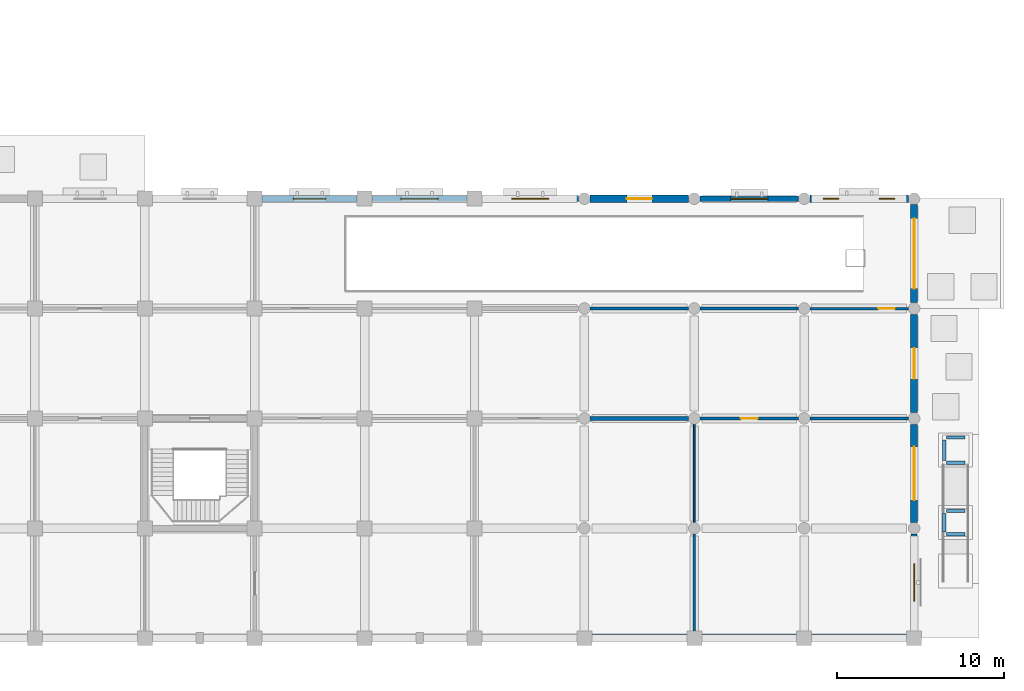
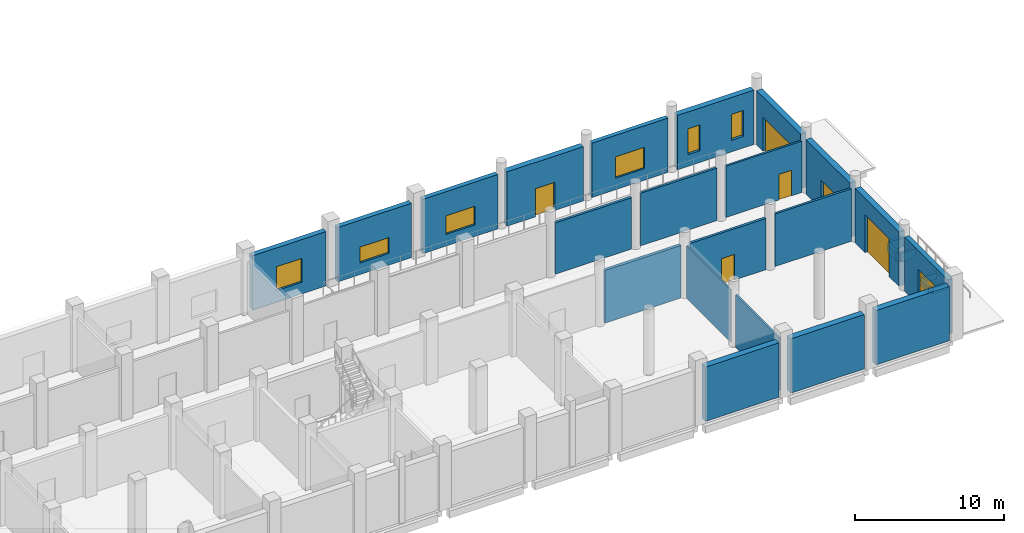
# One storey, part 13 of 28: 27 walls, 7 windows, 6 doors, 13 openings.
"""IFC4 building model written with IfcOpenShell, lengths in metres."""

from ifc_helpers import new_model, si_unit, direction, frame, frame_2d, origin, place, context, subcontext, project, spatial, rectangle, extrude, material, layer, layer_set, type_object, element, fill, save


model = new_model("IFC4")

# Units and contexts
model_context = context("Model", 3, precision=1e-05, world=origin(), true_north=direction((0.0, 1.0)))
body_context = subcontext(model_context, "Body", "Model", "MODEL_VIEW")
ifc_project = project(units=[si_unit("LENGTHUNIT", "METRE"), si_unit("AREAUNIT", "SQUARE_METRE"), si_unit("VOLUMEUNIT", "CUBIC_METRE"), si_unit("PLANEANGLEUNIT", "RADIAN"), si_unit("MASSUNIT", "GRAM", prefix="KILO")], contexts=[model_context])

# Site, building, storey
site_placement = place(None, origin())
site = spatial("IfcSite", under=ifc_project, at=site_placement, CompositionType="ELEMENT")
building_placement = place(site_placement, origin())
building = spatial("IfcBuilding", under=site, at=building_placement, Name="Rusizi Kubbe Research Institute", CompositionType="ELEMENT")
storey_placement = place(building_placement, origin())
storey = spatial("IfcBuildingStorey", under=building, at=storey_placement, Name="L00", CompositionType="ELEMENT", Elevation=0.0)

# Wall, opening, door
ifc_material_1 = material(Name="Volcanic Basalt Ashlar Masonry", Category="masonry")
ifc_layer_1 = layer(ifc_material_1, 0.43994140625)
ifc_layer_set_1 = layer_set([ifc_layer_1], Name="Volcanic Basalt Ashlar Masonry")
wall_type_1 = type_object("IfcWallType", Name="EW-01", PredefinedType="SOLIDWALL", material=ifc_layer_set_1)
wall_1_placement = place(storey_placement, frame((99.35009765625, 26.39990234375, 0.0), z_axis=(0.0, 0.0, 1.0), x_axis=(1.0, 0.0, 0.0)))
wall_1 = element("IfcWall", 1, at=wall_1_placement, inside=storey, type_object=wall_type_1, Name="Portal Vestibule Infill Wall E5", PredefinedType="SOLIDWALL", context=body_context, shape_type="SweptSolid", body=[
    extrude(rectangle(XDim=5.89990234375, YDim=0.43994140625, at=frame_2d((2.949951171875, 0.0))), origin(), (0.0, 0.0, 1.0), 4.449951171875),
])
opening_1_placement = place(wall_1_placement, frame((2.199951171875, 0.0, 0.0)))
opening_1 = element("IfcOpeningElement", 2, at=opening_1_placement, cuts=wall_1, Name="Opening D-40", PredefinedType="OPENING", context=body_context, shape_type="SweptSolid", body=[
    extrude(rectangle(XDim=1.5, YDim=2.300048828125, at=frame_2d((0.75, 1.14990234375))), frame((0.0, 0.22998046875, 0.0), z_axis=(0.0, -1.0, 0.0), x_axis=(1.0, 0.0, 0.0)), (0.0, 0.0, 1.0), 0.4599609375),
])
ifc_material_2 = material(Name="Insulated Steel and Laminated Safety Glass", Category="steel")
door_type_1 = type_object("IfcDoorType", Name="ED-10", OperationType="DOUBLE_DOOR_SINGLE_SWING", PredefinedType="DOOR", material=ifc_material_2)
door_1_placement = place(opening_1_placement, origin())
door_1 = element("IfcDoor", 3, at=door_1_placement, inside=storey, type_object=door_type_1, Name="Pedestrian Exit Cloister East Wing Door D-40", OperationType="DOUBLE_DOOR_SINGLE_SWING", OverallHeight=2.300048828125, OverallWidth=1.5, PredefinedType="DOOR", context=body_context, shape_type="SweptSolid", body=[
    extrude(rectangle(XDim=1.5, YDim=2.300048828125, at=frame_2d((0.75, 1.14990234375))), frame((0.0, 0.02490234375, 0.0), z_axis=(0.0, -1.0, 0.0), x_axis=(1.0, 0.0, 0.0)), (0.0, 0.0, 1.0), 0.050048828125),
])
fill(opening_1, door_1)

wall_2_placement = place(storey_placement, frame((118.800048828125, 6.949951171875, 0.0), z_axis=(0.0, 0.0, 1.0), x_axis=(0.0, 1.0, 0.0)))
wall_2 = element("IfcWall", 4, at=wall_2_placement, inside=storey, type_object=wall_type_1, Name="Portal Vestibule Infill Wall GT-01", PredefinedType="SOLIDWALL", context=body_context, shape_type="SweptSolid", body=[
    extrude(rectangle(XDim=5.900146484375, YDim=0.43994140625, at=frame_2d((2.9501953125, 0.0))), origin(), (0.0, 0.0, 1.0), 4.449951171875),
])
opening_2_placement = place(wall_2_placement, frame((1.35009765625, 0.0, 0.0)))
opening_2 = element("IfcOpeningElement", 5, at=opening_2_placement, cuts=wall_2, Name="Opening GT-01", PredefinedType="OPENING", context=body_context, shape_type="SweptSolid", body=[
    extrude(rectangle(XDim=3.199951171875, YDim=3.10009765625, at=frame_2d((1.60009765625, 1.550048828125))), frame((0.0, 0.22998046875, 0.0), z_axis=(0.0, -1.0, 0.0), x_axis=(1.0, 0.0, 0.0)), (0.0, 0.0, 1.0), 0.4599609375),
])
ifc_material_3 = material(Name="Insulated Steel Roller Shutter", Category="steel")
door_type_2 = type_object("IfcDoorType", Name="GT-01", OperationType="ROLLINGUP", PredefinedType="GATE", material=ifc_material_3)
door_2_placement = place(opening_2_placement, origin())
door_2 = element("IfcDoor", 6, at=door_2_placement, inside=storey, type_object=door_type_2, Name="Loading Dock Roller Shutter Gate GT-01", OperationType="ROLLINGUP", OverallHeight=3.10009765625, OverallWidth=3.199951171875, PredefinedType="GATE", context=body_context, shape_type="SweptSolid", body=[
    extrude(rectangle(XDim=3.199951171875, YDim=3.10009765625, at=frame_2d((1.60009765625, 1.550048828125))), frame((0.0, 0.02490234375, 0.0), z_axis=(0.0, -1.0, 0.0), x_axis=(1.0, 0.0, 0.0)), (0.0, 0.0, 1.0), 0.050048828125),
])
fill(opening_2, door_2)

wall_3_placement = place(storey_placement, frame((118.800048828125, 13.550048828125, 0.0), z_axis=(0.0, 0.0, 1.0), x_axis=(0.0, 1.0, 0.0)))
wall_3 = element("IfcWall", 7, at=wall_3_placement, inside=storey, type_object=wall_type_1, Name="Portal Vestibule Infill Wall E4", PredefinedType="SOLIDWALL", context=body_context, shape_type="SweptSolid", body=[
    extrude(rectangle(XDim=5.89990234375, YDim=0.43994140625, at=frame_2d((2.949951171875, 0.0))), origin(), (0.0, 0.0, 1.0), 4.449951171875),
])
opening_3_placement = place(wall_3_placement, frame((2.02490234375, 0.0, 0.0)))
opening_3 = element("IfcOpeningElement", 8, at=opening_3_placement, cuts=wall_3, Name="Opening D-34", PredefinedType="OPENING", context=body_context, shape_type="SweptSolid", body=[
    extrude(rectangle(XDim=1.85009765625, YDim=2.35009765625, at=frame_2d((0.925048828125, 1.175048828125))), frame((0.0, 0.22998046875, 0.0), z_axis=(0.0, -1.0, 0.0), x_axis=(1.0, 0.0, 0.0)), (0.0, 0.0, 1.0), 0.4599609375),
])
ifc_material_4 = material(Name="Insulated Steel and Laminated Safety Glass", Category="steel")
door_type_3 = type_object("IfcDoorType", Name="ED-04", OperationType="DOUBLE_DOOR_SINGLE_SWING", PredefinedType="DOOR", material=ifc_material_4)
door_3_placement = place(opening_3_placement, origin())
door_3 = element("IfcDoor", 9, at=door_3_placement, inside=storey, type_object=door_type_3, Name="Main Entrance East Street Exit Door D-34", OperationType="DOUBLE_DOOR_SINGLE_SWING", OverallHeight=2.35009765625, OverallWidth=1.85009765625, PredefinedType="DOOR", context=body_context, shape_type="SweptSolid", body=[
    extrude(rectangle(XDim=1.85009765625, YDim=2.35009765625, at=frame_2d((0.925048828125, 1.175048828125))), frame((0.0, 0.02490234375, 0.0), z_axis=(0.0, -1.0, 0.0), x_axis=(1.0, 0.0, 0.0)), (0.0, 0.0, 1.0), 0.050048828125),
])
fill(opening_3, door_3)

# Wall, openings, windows
wall_4_placement = place(storey_placement, frame((112.550048828125, 26.39990234375, 0.0), z_axis=(0.0, 0.0, 1.0), x_axis=(1.0, 0.0, 0.0)))
wall_4 = element("IfcWall", 10, at=wall_4_placement, inside=storey, type_object=wall_type_1, Name="Ablaq Stone Exterior Wall L00 H17-4", PredefinedType="SOLIDWALL", context=body_context, shape_type="SweptSolid", body=[
    extrude(rectangle(XDim=5.89990234375, YDim=0.43994140625, at=frame_2d((2.949951171875, 0.0))), origin(), (0.0, 0.0, 1.0), 4.449951171875),
])
opening_4_placement = place(wall_4_placement, frame((0.800048828125, 0.0, 0.949951171875)))
opening_4 = element("IfcOpeningElement", 11, at=opening_4_placement, cuts=wall_4, Name="Opening WN-33", PredefinedType="OPENING", context=body_context, shape_type="SweptSolid", body=[
    extrude(rectangle(XDim=0.93994140625, YDim=2.1201171875, at=frame_2d((0.469970703125, 1.06005859375))), frame((0.0, 0.22998046875, 0.0), z_axis=(0.0, -1.0, 0.0), x_axis=(1.0, 0.0, 0.0)), (0.0, 0.0, 1.0), 0.4599609375),
])
opening_5_placement = place(wall_4_placement, frame((4.159912109375, 0.0, 0.949951171875)))
opening_5 = element("IfcOpeningElement", 12, at=opening_5_placement, cuts=wall_4, Name="Opening WN-33", PredefinedType="OPENING", context=body_context, shape_type="SweptSolid", body=[
    extrude(rectangle(XDim=0.93994140625, YDim=2.1201171875, at=frame_2d((0.469970703125, 1.06005859375))), frame((0.0, 0.22998046875, 0.0), z_axis=(0.0, -1.0, 0.0), x_axis=(1.0, 0.0, 0.0)), (0.0, 0.0, 1.0), 0.4599609375),
])
ifc_material_5 = material(Name="Aluminium Frame and Solar-Control Double Glazing", Category="glass")
window_type_1 = type_object("IfcWindowType", Name="WN-33", PartitioningType="SINGLE_PANEL", PredefinedType="WINDOW", material=ifc_material_5)
window_1_placement = place(opening_4_placement, origin())
window_1 = element("IfcWindow", 13, at=window_1_placement, inside=storey, type_object=window_type_1, Name="Casement Window WN-33 L00", OverallHeight=2.1201171875, OverallWidth=0.93994140625, PartitioningType="SINGLE_PANEL", PredefinedType="WINDOW", context=body_context, shape_type="SweptSolid", body=[
    extrude(rectangle(XDim=0.93994140625, YDim=2.1201171875, at=frame_2d((0.469970703125, 1.06005859375))), frame((0.0, 0.030029296875, 0.0), z_axis=(0.0, -1.0, 0.0), x_axis=(1.0, 0.0, 0.0)), (0.0, 0.0, 1.0), 0.06005859375),
])
fill(opening_4, window_1)
window_2_placement = place(opening_5_placement, origin())
window_2 = element("IfcWindow", 14, at=window_2_placement, inside=storey, type_object=window_type_1, Name="Casement Window WN-33 L00", OverallHeight=2.1201171875, OverallWidth=0.93994140625, PartitioningType="SINGLE_PANEL", PredefinedType="WINDOW", context=body_context, shape_type="SweptSolid", body=[
    extrude(rectangle(XDim=0.93994140625, YDim=2.1201171875, at=frame_2d((0.469970703125, 1.06005859375))), frame((0.0, 0.030029296875, 0.0), z_axis=(0.0, -1.0, 0.0), x_axis=(1.0, 0.0, 0.0)), (0.0, 0.0, 1.0), 0.06005859375),
])
fill(opening_5, window_2)

# Wall, opening, door
wall_5_placement = place(storey_placement, frame((118.800048828125, 20.14990234375, 0.0), z_axis=(0.0, 0.0, 1.0), x_axis=(0.0, 1.0, 0.0)))
wall_5 = element("IfcWall", 15, at=wall_5_placement, inside=storey, type_object=wall_type_1, Name="Portal Vestibule Infill Wall GT-02", PredefinedType="SOLIDWALL", context=body_context, shape_type="SweptSolid", body=[
    extrude(rectangle(XDim=5.900146484375, YDim=0.43994140625, at=frame_2d((2.9501953125, 0.0))), origin(), (0.0, 0.0, 1.0), 4.449951171875),
])
opening_6_placement = place(wall_5_placement, frame((0.85009765625, 0.0, 0.0)))
opening_6 = element("IfcOpeningElement", 16, at=opening_6_placement, cuts=wall_5, Name="Opening GT-02", PredefinedType="OPENING", context=body_context, shape_type="SweptSolid", body=[
    extrude(rectangle(XDim=4.199951171875, YDim=2.800048828125, at=frame_2d((2.10009765625, 1.39990234375))), frame((0.0, 0.22998046875, 0.0), z_axis=(0.0, -1.0, 0.0), x_axis=(1.0, 0.0, 0.0)), (0.0, 0.0, 1.0), 0.4599609375),
])
ifc_material_6 = material(Name="Insulated Steel Roller Shutter", Category="steel")
door_type_4 = type_object("IfcDoorType", Name="GT-02", OperationType="ROLLINGUP", PredefinedType="GATE", material=ifc_material_6)
door_4_placement = place(opening_6_placement, origin())
door_4 = element("IfcDoor", 17, at=door_4_placement, inside=storey, type_object=door_type_4, Name="Basement Vehicle Ramp Roller Shutter Gate GT-02", OperationType="ROLLINGUP", OverallHeight=2.800048828125, OverallWidth=4.199951171875, PredefinedType="GATE", context=body_context, shape_type="SweptSolid", body=[
    extrude(rectangle(XDim=4.199951171875, YDim=2.800048828125, at=frame_2d((2.10009765625, 1.39990234375))), frame((0.0, 0.02490234375, 0.0), z_axis=(0.0, -1.0, 0.0), x_axis=(1.0, 0.0, 0.0)), (0.0, 0.0, 1.0), 0.050048828125),
])
fill(opening_6, door_4)

# Wall, opening, window
ifc_material_7 = material(Name="Volcanic Basalt Ashlar Masonry", Category="masonry")
ifc_layer_2 = layer(ifc_material_7, 0.385009765625)
ifc_layer_set_2 = layer_set([ifc_layer_2], Name="Volcanic Basalt Ashlar Masonry")
wall_type_2 = type_object("IfcWallType", Name="EW-04", PredefinedType="SOLIDWALL", material=ifc_layer_set_2)
wall_6_placement = place(storey_placement, frame((79.64990234375, 26.39990234375, 0.0), z_axis=(0.0, 0.0, 1.0), x_axis=(1.0, 0.0, 0.0)))
wall_6 = element("IfcWall", 18, at=wall_6_placement, inside=storey, type_object=wall_type_2, Name="Ablaq Stone Exterior Wall L00 H12-4", PredefinedType="SOLIDWALL", context=body_context, shape_type="SweptSolid", body=[
    extrude(rectangle(XDim=5.7001953125, YDim=0.385009765625, at=frame_2d((2.85009765625, 0.0))), origin(), (0.0, 0.0, 1.0), 4.449951171875),
])
opening_7_placement = place(wall_6_placement, frame((1.8701171875, 0.0, 0.949951171875)))
opening_7 = element("IfcOpeningElement", 19, at=opening_7_placement, cuts=wall_6, Name="Opening WN-28", PredefinedType="OPENING", context=body_context, shape_type="SweptSolid", body=[
    extrude(rectangle(XDim=1.9599609375, YDim=1.9599609375, at=frame_2d((0.97998046875, 0.97998046875))), frame((0.0, 0.202392578125, 0.0), z_axis=(0.0, -1.0, 0.0), x_axis=(1.0, 0.0, 0.0)), (0.0, 0.0, 1.0), 0.405029296875),
])
ifc_material_8 = material(Name="Aluminium Frame and Solar-Control Double Glazing", Category="glass")
window_type_2 = type_object("IfcWindowType", Name="WN-28", PartitioningType="DOUBLE_PANEL_VERTICAL", PredefinedType="WINDOW", material=ifc_material_8)
window_3_placement = place(opening_7_placement, origin())
window_3 = element("IfcWindow", 20, at=window_3_placement, inside=storey, type_object=window_type_2, Name="Casement Window WN-28 L00", OverallHeight=1.9599609375, OverallWidth=1.9599609375, PartitioningType="DOUBLE_PANEL_VERTICAL", PredefinedType="WINDOW", context=body_context, shape_type="SweptSolid", body=[
    extrude(rectangle(XDim=1.9599609375, YDim=1.9599609375, at=frame_2d((0.97998046875, 0.97998046875))), frame((0.0, 0.030029296875, 0.0), z_axis=(0.0, -1.0, 0.0), x_axis=(1.0, 0.0, 0.0)), (0.0, 0.0, 1.0), 0.06005859375),
])
fill(opening_7, window_3)

ifc_material_9 = material(Name="Volcanic Basalt Ashlar Masonry", Category="masonry")
ifc_layer_3 = layer(ifc_material_9, 0.3701171875)
ifc_layer_set_3 = layer_set([ifc_layer_3], Name="Volcanic Basalt Ashlar Masonry")
wall_type_3 = type_object("IfcWallType", Name="EW-05", PredefinedType="SOLIDWALL", material=ifc_layer_set_3)
wall_7_placement = place(storey_placement, frame((86.25, 26.39990234375, 0.0), z_axis=(0.0, 0.0, 1.0), x_axis=(1.0, 0.0, 0.0)))
wall_7 = element("IfcWall", 21, at=wall_7_placement, inside=storey, type_object=wall_type_3, Name="Ablaq Stone Exterior Wall L00 H13-4", PredefinedType="SOLIDWALL", context=body_context, shape_type="SweptSolid", body=[
    extrude(rectangle(XDim=5.699951171875, YDim=0.3701171875, at=frame_2d((2.85009765625, 0.0))), origin(), (0.0, 0.0, 1.0), 4.449951171875),
])
opening_8_placement = place(wall_7_placement, frame((1.72998046875, 0.0, 0.949951171875)))
opening_8 = element("IfcOpeningElement", 22, at=opening_8_placement, cuts=wall_7, Name="Opening WN-29", PredefinedType="OPENING", context=body_context, shape_type="SweptSolid", body=[
    extrude(rectangle(XDim=2.239990234375, YDim=1.300048828125, at=frame_2d((1.1201171875, 0.64990234375))), frame((0.0, 0.195068359375, 0.0), z_axis=(0.0, -1.0, 0.0), x_axis=(1.0, 0.0, 0.0)), (0.0, 0.0, 1.0), 0.39013671875),
])
ifc_material_10 = material(Name="Aluminium Frame and Solar-Control Double Glazing", Category="glass")
window_type_3 = type_object("IfcWindowType", Name="WN-29", PartitioningType="DOUBLE_PANEL_VERTICAL", PredefinedType="WINDOW", material=ifc_material_10)
window_4_placement = place(opening_8_placement, origin())
window_4 = element("IfcWindow", 23, at=window_4_placement, inside=storey, type_object=window_type_3, Name="Casement Window WN-29 L00", OverallHeight=1.300048828125, OverallWidth=2.239990234375, PartitioningType="DOUBLE_PANEL_VERTICAL", PredefinedType="WINDOW", context=body_context, shape_type="SweptSolid", body=[
    extrude(rectangle(XDim=2.239990234375, YDim=1.300048828125, at=frame_2d((1.1201171875, 0.64990234375))), frame((0.0, 0.030029296875, 0.0), z_axis=(0.0, -1.0, 0.0), x_axis=(1.0, 0.0, 0.0)), (0.0, 0.0, 1.0), 0.06005859375),
])
fill(opening_8, window_4)

ifc_material_11 = material(Name="Volcanic Basalt Ashlar Masonry", Category="masonry")
ifc_layer_4 = layer(ifc_material_11, 0.35498046875)
ifc_layer_set_4 = layer_set([ifc_layer_4], Name="Volcanic Basalt Ashlar Masonry")
wall_type_4 = type_object("IfcWallType", Name="EW-06", PredefinedType="SOLIDWALL", material=ifc_layer_set_4)
wall_8_placement = place(storey_placement, frame((92.85009765625, 26.39990234375, 0.0), z_axis=(0.0, 0.0, 1.0), x_axis=(1.0, 0.0, 0.0)))
wall_8 = element("IfcWall", 24, at=wall_8_placement, inside=storey, type_object=wall_type_4, Name="Ablaq Stone Exterior Wall L00 H14-4", PredefinedType="SOLIDWALL", context=body_context, shape_type="SweptSolid", body=[
    extrude(rectangle(XDim=5.7998046875, YDim=0.35498046875, at=frame_2d((2.89990234375, 0.0))), origin(), (0.0, 0.0, 1.0), 4.449951171875),
])
opening_9_placement = place(wall_8_placement, frame((1.780029296875, 0.0, 0.949951171875)))
opening_9 = element("IfcOpeningElement", 25, at=opening_9_placement, cuts=wall_8, Name="Opening WN-30", PredefinedType="OPENING", context=body_context, shape_type="SweptSolid", body=[
    extrude(rectangle(XDim=2.239990234375, YDim=1.52001953125, at=frame_2d((1.1201171875, 0.760009765625))), frame((0.0, 0.1875, 0.0), z_axis=(0.0, -1.0, 0.0), x_axis=(1.0, 0.0, 0.0)), (0.0, 0.0, 1.0), 0.375),
])
ifc_material_12 = material(Name="Aluminium Frame and Solar-Control Double Glazing", Category="glass")
window_type_4 = type_object("IfcWindowType", Name="WN-30", PartitioningType="DOUBLE_PANEL_VERTICAL", PredefinedType="WINDOW", material=ifc_material_12)
window_5_placement = place(opening_9_placement, origin())
window_5 = element("IfcWindow", 26, at=window_5_placement, inside=storey, type_object=window_type_4, Name="Casement Window WN-30 L00", OverallHeight=1.52001953125, OverallWidth=2.239990234375, PartitioningType="DOUBLE_PANEL_VERTICAL", PredefinedType="WINDOW", context=body_context, shape_type="SweptSolid", body=[
    extrude(rectangle(XDim=2.239990234375, YDim=1.52001953125, at=frame_2d((1.1201171875, 0.760009765625))), frame((0.0, 0.030029296875, 0.0), z_axis=(0.0, -1.0, 0.0), x_axis=(1.0, 0.0, 0.0)), (0.0, 0.0, 1.0), 0.06005859375),
])
fill(opening_9, window_5)

wall_9_placement = place(storey_placement, frame((118.800048828125, 0.449951171875, 0.0), z_axis=(0.0, 0.0, 1.0), x_axis=(0.0, 1.0, 0.0)))
wall_9 = element("IfcWall", 27, at=wall_9_placement, inside=storey, type_object=wall_type_4, Name="Ablaq Stone Exterior Wall L00 V18-0", PredefinedType="SOLIDWALL", context=body_context, shape_type="SweptSolid", body=[
    extrude(rectangle(XDim=5.800048828125, YDim=0.35498046875, at=frame_2d((2.89990234375, 0.0))), origin(), (0.0, 0.0, 1.0), 4.449951171875),
])
opening_10_placement = place(wall_9_placement, frame((1.780029296875, 0.0, 0.949951171875)))
opening_10 = element("IfcOpeningElement", 28, at=opening_10_placement, cuts=wall_9, Name="Opening WN-32", PredefinedType="OPENING", context=body_context, shape_type="SweptSolid", body=[
    extrude(rectangle(XDim=2.239990234375, YDim=1.9599609375, at=frame_2d((1.1201171875, 0.97998046875))), frame((0.0, 0.1875, 0.0), z_axis=(0.0, -1.0, 0.0), x_axis=(1.0, 0.0, 0.0)), (0.0, 0.0, 1.0), 0.375),
])
ifc_material_13 = material(Name="Aluminium Frame and Solar-Control Double Glazing", Category="glass")
window_type_5 = type_object("IfcWindowType", Name="WN-32", PartitioningType="DOUBLE_PANEL_VERTICAL", PredefinedType="WINDOW", material=ifc_material_13)
window_6_placement = place(opening_10_placement, origin())
window_6 = element("IfcWindow", 29, at=window_6_placement, inside=storey, type_object=window_type_5, Name="Casement Window WN-32 L00", OverallHeight=1.9599609375, OverallWidth=2.239990234375, PartitioningType="DOUBLE_PANEL_VERTICAL", PredefinedType="WINDOW", context=body_context, shape_type="SweptSolid", body=[
    extrude(rectangle(XDim=2.239990234375, YDim=1.9599609375, at=frame_2d((1.1201171875, 0.97998046875))), frame((0.0, 0.030029296875, 0.0), z_axis=(0.0, -1.0, 0.0), x_axis=(1.0, 0.0, 0.0)), (0.0, 0.0, 1.0), 0.06005859375),
])
fill(opening_10, window_6)

ifc_material_14 = material(Name="Volcanic Basalt Ashlar Masonry", Category="masonry")
ifc_layer_5 = layer(ifc_material_14, 0.324951171875)
ifc_layer_set_5 = layer_set([ifc_layer_5], Name="Volcanic Basalt Ashlar Masonry")
wall_type_5 = type_object("IfcWallType", Name="EW-08", PredefinedType="SOLIDWALL", material=ifc_layer_set_5)
wall_10_placement = place(storey_placement, frame((105.949951171875, 26.39990234375, 0.0), z_axis=(0.0, 0.0, 1.0), x_axis=(1.0, 0.0, 0.0)))
wall_10 = element("IfcWall", 30, at=wall_10_placement, inside=storey, type_object=wall_type_5, Name="Ablaq Stone Exterior Wall L00 H16-4", PredefinedType="SOLIDWALL", context=body_context, shape_type="SweptSolid", body=[
    extrude(rectangle(XDim=5.900146484375, YDim=0.324951171875, at=frame_2d((2.9501953125, 0.0))), origin(), (0.0, 0.0, 1.0), 4.449951171875),
])
opening_11_placement = place(wall_10_placement, frame((1.830078125, 0.0, 0.949951171875)))
opening_11 = element("IfcOpeningElement", 31, at=opening_11_placement, cuts=wall_10, Name="Opening WN-31", PredefinedType="OPENING", context=body_context, shape_type="SweptSolid", body=[
    extrude(rectangle(XDim=2.239990234375, YDim=1.739990234375, at=frame_2d((1.1201171875, 0.8701171875))), frame((0.0, 0.17236328125, 0.0), z_axis=(0.0, -1.0, 0.0), x_axis=(1.0, 0.0, 0.0)), (0.0, 0.0, 1.0), 0.344970703125),
])
ifc_material_15 = material(Name="Aluminium Frame and Solar-Control Double Glazing", Category="glass")
window_type_6 = type_object("IfcWindowType", Name="WN-31", PartitioningType="DOUBLE_PANEL_VERTICAL", PredefinedType="WINDOW", material=ifc_material_15)
window_7_placement = place(opening_11_placement, origin())
window_7 = element("IfcWindow", 32, at=window_7_placement, inside=storey, type_object=window_type_6, Name="Casement Window WN-31 L00", OverallHeight=1.739990234375, OverallWidth=2.239990234375, PartitioningType="DOUBLE_PANEL_VERTICAL", PredefinedType="WINDOW", context=body_context, shape_type="SweptSolid", body=[
    extrude(rectangle(XDim=2.239990234375, YDim=1.739990234375, at=frame_2d((1.1201171875, 0.8701171875))), frame((0.0, 0.030029296875, 0.0), z_axis=(0.0, -1.0, 0.0), x_axis=(1.0, 0.0, 0.0)), (0.0, 0.0, 1.0), 0.06005859375),
])
fill(opening_11, window_7)

# Walls
ifc_material_16 = material(Name="Concrete Blockwork Fire Partition", Category="masonry")
ifc_layer_6 = layer(ifc_material_16, 0.22509765625)
ifc_layer_set_6 = layer_set([ifc_layer_6], Name="Concrete Blockwork Fire Partition")
wall_type_6 = type_object("IfcWallType", Name="IW-01", PredefinedType="PARTITIONING", material=ifc_layer_set_6)
wall_11_placement = place(storey_placement, frame((99.35009765625, 13.199951171875, 0.0), z_axis=(0.0, 0.0, 1.0), x_axis=(1.0, 0.0, 0.0)))
element("IfcWall", 33, at=wall_11_placement, inside=storey, type_object=wall_type_6, Name="Interior Partition Wall L00 H15-2", PredefinedType="PARTITIONING", context=body_context, shape_type="SweptSolid", body=[
    extrude(rectangle(XDim=5.89990234375, YDim=0.22509765625, at=frame_2d((2.949951171875, 0.0))), origin(), (0.0, 0.0, 1.0), 4.300048828125),
])
ifc_material_17 = material(Name="Insulated Cleanroom Partition", Category="masonry")
ifc_layer_7 = layer(ifc_material_17, 0.195068359375)
ifc_layer_set_7 = layer_set([ifc_layer_7], Name="Insulated Cleanroom Partition")
wall_type_7 = type_object("IfcWallType", Name="IW-02", PredefinedType="PARTITIONING", material=ifc_layer_set_7)
wall_12_placement = place(storey_placement, frame((99.35009765625, 19.800048828125, 0.0), z_axis=(0.0, 0.0, 1.0), x_axis=(1.0, 0.0, 0.0)))
element("IfcWall", 34, at=wall_12_placement, inside=storey, type_object=wall_type_7, Name="Interior Partition Wall L00 H15-3", PredefinedType="PARTITIONING", context=body_context, shape_type="SweptSolid", body=[
    extrude(rectangle(XDim=5.89990234375, YDim=0.195068359375, at=frame_2d((2.949951171875, 0.0))), origin(), (0.0, 0.0, 1.0), 4.199951171875),
])

# Wall, opening, door
wall_13_placement = place(storey_placement, frame((105.949951171875, 13.199951171875, 0.0), z_axis=(0.0, 0.0, 1.0), x_axis=(1.0, 0.0, 0.0)))
wall_13 = element("IfcWall", 35, at=wall_13_placement, inside=storey, type_object=wall_type_7, Name="Interior Partition Wall L00 H16-2", PredefinedType="PARTITIONING", context=body_context, shape_type="SweptSolid", body=[
    extrude(rectangle(XDim=5.900146484375, YDim=0.195068359375, at=frame_2d((2.9501953125, 0.0))), origin(), (0.0, 0.0, 1.0), 4.199951171875),
])
opening_12_placement = place(wall_13_placement, frame((2.449951171875, 0.0, 0.0)))
opening_12 = element("IfcOpeningElement", 36, at=opening_12_placement, cuts=wall_13, Name="Opening D-04", PredefinedType="OPENING", context=body_context, shape_type="SweptSolid", body=[
    extrude(rectangle(XDim=1.0, YDim=2.10009765625, at=frame_2d((0.5, 1.050048828125))), frame((0.0, 0.107421875, 0.0), z_axis=(0.0, -1.0, 0.0), x_axis=(1.0, 0.0, 0.0)), (0.0, 0.0, 1.0), 0.215087890625),
])
ifc_material_18 = material(Name="Fire-Rated Steel Frame and Acoustic Timber Leaf", Category="wood")
door_type_5 = type_object("IfcDoorType", Name="ID-MEP-100", OperationType="NOTDEFINED", PredefinedType="DOOR", material=ifc_material_18)
door_5_placement = place(opening_12_placement, origin())
door_5 = element("IfcDoor", 37, at=door_5_placement, inside=storey, type_object=door_type_5, Name="Door to Goods Receiving and Loading Bay (L00-DCK-01)", OperationType="SINGLE_SWING_RIGHT", OverallHeight=2.10009765625, OverallWidth=1.0, PredefinedType="DOOR", context=body_context, shape_type="SweptSolid", body=[
    extrude(rectangle(XDim=1.0, YDim=2.10009765625, at=frame_2d((0.5, 1.050048828125))), frame((0.0, 0.02490234375, 0.0), z_axis=(0.0, -1.0, 0.0), x_axis=(1.0, 0.0, 0.0)), (0.0, 0.0, 1.0), 0.050048828125),
])
fill(opening_12, door_5)

# Walls
ifc_material_19 = material(Name="Acoustic Laboratory Partition", Category="masonry")
ifc_layer_8 = layer(ifc_material_19, 0.175048828125)
ifc_layer_set_8 = layer_set([ifc_layer_8], Name="Acoustic Laboratory Partition")
wall_type_8 = type_object("IfcWallType", Name="IW-03", PredefinedType="PARTITIONING", material=ifc_layer_set_8)
wall_14_placement = place(storey_placement, frame((105.949951171875, 19.800048828125, 0.0), z_axis=(0.0, 0.0, 1.0), x_axis=(1.0, 0.0, 0.0)))
element("IfcWall", 38, at=wall_14_placement, inside=storey, type_object=wall_type_8, Name="Interior Partition Wall L00 H16-3", PredefinedType="PARTITIONING", context=body_context, shape_type="SweptSolid", body=[
    extrude(rectangle(XDim=5.900146484375, YDim=0.175048828125, at=frame_2d((2.9501953125, 0.0))), origin(), (0.0, 0.0, 1.0), 4.300048828125),
])
wall_15_placement = place(storey_placement, frame((112.550048828125, 13.199951171875, 0.0), z_axis=(0.0, 0.0, 1.0), x_axis=(1.0, 0.0, 0.0)))
element("IfcWall", 39, at=wall_15_placement, inside=storey, type_object=wall_type_8, Name="Interior Partition Wall L00 H17-2", PredefinedType="PARTITIONING", context=body_context, shape_type="SweptSolid", body=[
    extrude(rectangle(XDim=5.89990234375, YDim=0.175048828125, at=frame_2d((2.949951171875, 0.0))), origin(), (0.0, 0.0, 1.0), 4.300048828125),
])

# Wall, opening, door
ifc_material_20 = material(Name="Fire-Rated Corridor Partition", Category="masonry")
ifc_layer_9 = layer(ifc_material_20, 0.155029296875)
ifc_layer_set_9 = layer_set([ifc_layer_9], Name="Fire-Rated Corridor Partition")
wall_type_9 = type_object("IfcWallType", Name="IW-04", PredefinedType="PARTITIONING", material=ifc_layer_set_9)
wall_16_placement = place(storey_placement, frame((112.550048828125, 19.800048828125, 0.0), z_axis=(0.0, 0.0, 1.0), x_axis=(1.0, 0.0, 0.0)))
wall_16 = element("IfcWall", 40, at=wall_16_placement, inside=storey, type_object=wall_type_9, Name="Interior Partition Wall L00 H17-3", PredefinedType="PARTITIONING", context=body_context, shape_type="SweptSolid", body=[
    extrude(rectangle(XDim=5.89990234375, YDim=0.155029296875, at=frame_2d((2.949951171875, 0.0))), origin(), (0.0, 0.0, 1.0), 4.199951171875),
])
opening_13_placement = place(wall_16_placement, frame((4.10009765625, 0.0, 0.0)))
opening_13 = element("IfcOpeningElement", 41, at=opening_13_placement, cuts=wall_16, Name="Opening D-04", PredefinedType="OPENING", context=body_context, shape_type="SweptSolid", body=[
    extrude(rectangle(XDim=1.0, YDim=2.10009765625, at=frame_2d((0.5, 1.050048828125))), frame((0.0, 0.08740234375, 0.0), z_axis=(0.0, -1.0, 0.0), x_axis=(1.0, 0.0, 0.0)), (0.0, 0.0, 1.0), 0.175048828125),
])
door_6_placement = place(opening_13_placement, origin())
door_6 = element("IfcDoor", 42, at=door_6_placement, inside=storey, type_object=door_type_5, Name="Door to Vehicle Ramp Arrival Vestibule (L00-VRMP-01)", OperationType="SINGLE_SWING_RIGHT", OverallHeight=2.10009765625, OverallWidth=1.0, PredefinedType="DOOR", context=body_context, shape_type="SweptSolid", body=[
    extrude(rectangle(XDim=1.0, YDim=2.10009765625, at=frame_2d((0.5, 1.050048828125))), frame((0.0, 0.02490234375, 0.0), z_axis=(0.0, -1.0, 0.0), x_axis=(1.0, 0.0, 0.0)), (0.0, 0.0, 1.0), 0.050048828125),
])
fill(opening_13, door_6)

# Walls
ifc_material_21 = material(Name="Write-up Glazed Acoustic Partition", Category="masonry")
ifc_layer_10 = layer(ifc_material_21, 0.139892578125)
ifc_layer_set_10 = layer_set([ifc_layer_10], Name="Write-up Glazed Acoustic Partition")
wall_type_10 = type_object("IfcWallType", Name="IW-05", PredefinedType="PARTITIONING", material=ifc_layer_set_10)
wall_17_placement = place(storey_placement, frame((105.60009765625, 0.449951171875, 0.0), z_axis=(0.0, 0.0, 1.0), x_axis=(0.0, 1.0, 0.0)))
element("IfcWall", 43, at=wall_17_placement, inside=storey, type_object=wall_type_10, Name="Interior Partition Wall L00 V16-0", PredefinedType="PARTITIONING", context=body_context, shape_type="SweptSolid", body=[
    extrude(rectangle(XDim=5.800048828125, YDim=0.139892578125, at=frame_2d((2.89990234375, 0.0))), origin(), (0.0, 0.0, 1.0), 4.300048828125),
])
ifc_material_22 = material(Name="Sub-Suite Fire Partition", Category="masonry")
ifc_layer_11 = layer(ifc_material_22, 0.110107421875)
ifc_layer_set_11 = layer_set([ifc_layer_11], Name="Sub-Suite Fire Partition")
wall_type_11 = type_object("IfcWallType", Name="IW-07", PredefinedType="PARTITIONING", material=ifc_layer_set_11)
wall_18_placement = place(storey_placement, frame((105.60009765625, 6.949951171875, 0.0), z_axis=(0.0, 0.0, 1.0), x_axis=(0.0, 1.0, 0.0)))
element("IfcWall", 44, at=wall_18_placement, inside=storey, type_object=wall_type_11, Name="Interior Partition Wall L00 V16-1", PredefinedType="PARTITIONING", context=body_context, shape_type="SweptSolid", body=[
    extrude(rectangle(XDim=5.900146484375, YDim=0.110107421875, at=frame_2d((2.9501953125, 0.0))), origin(), (0.0, 0.0, 1.0), 4.300048828125),
])
ifc_material_23 = material(Name="Concrete C40/50", Category="concrete")
ifc_layer_12 = layer(ifc_material_23, 0.47998046875)
ifc_layer_set_12 = layer_set([ifc_layer_12], Name="Concrete C40/50")
wall_type_12 = type_object("IfcWallType", Name="PW-01", PredefinedType="SOLIDWALL", material=ifc_layer_set_12)
for number, where, z_axis, x_axis, name in (
    (45, (99.449951171875, 0.0, 0.0), (0.0, 0.0, 1.0), (1.0, 0.0, 0.0), "Blind Party Wall L00 H15-0"),
    (46, (106.050048828125, 0.0, 0.0), (0.0, 0.0, 1.0), (1.0, 0.0, 0.0), "Blind Party Wall L00 H16-0"),
):
    element("IfcWall", number, at=place(storey_placement, frame(where, z_axis=z_axis, x_axis=x_axis)), inside=storey, type_object=wall_type_12, Name=name, PredefinedType="SOLIDWALL", context=body_context, shape_type="SweptSolid", body=[
        extrude(rectangle(XDim=5.699951171875, YDim=0.47998046875, at=frame_2d((2.85009765625, 0.0))), origin(), (0.0, 0.0, 1.0), 4.449951171875),
    ])
wall_19_placement = place(storey_placement, frame((112.64990234375, 0.0, 0.0), z_axis=(0.0, 0.0, 1.0), x_axis=(1.0, 0.0, 0.0)))
element("IfcWall", 47, at=wall_19_placement, inside=storey, type_object=wall_type_12, Name="Blind Party Wall L00 H17-0", PredefinedType="SOLIDWALL", context=body_context, shape_type="SweptSolid", body=[
    extrude(rectangle(XDim=5.7001953125, YDim=0.47998046875, at=frame_2d((2.85009765625, 0.0))), origin(), (0.0, 0.0, 1.0), 4.449951171875),
])
ifc_material_24 = material(Name="Concrete C40/50", Category="concrete")
ifc_layer_13 = layer(ifc_material_24, 0.199951171875)
ifc_layer_set_13 = layer_set([ifc_layer_13], Name="Concrete C40/50")
wall_type_13 = type_object("IfcWallType", Name="RW-STEP200", PredefinedType="SOLIDWALL", material=ifc_layer_set_13)
for number, where, z_axis, x_axis, name in (
    (48, (120.739990234375, 6.239990234375, -0.89990234375), (0.0, 0.0, 1.0), (1.0, 0.0, 0.0), "Ramp Landing Plinth Wall RAMP-EAST-01-MID-A"),
    (49, (120.739990234375, 7.639892578125, -0.89990234375), (0.0, 0.0, 1.0), (1.0, 0.0, 0.0), "Ramp Landing Plinth Wall RAMP-EAST-01-MID-B"),
    (50, (120.6201171875, 6.3798828125, -0.89990234375), (0.0, 0.0, 1.0), (0.0, 1.0, 0.0), "Ramp Landing Plinth Wall RAMP-EAST-01-MID-C"),
):
    element("IfcWall", number, at=place(storey_placement, frame(where, z_axis=z_axis, x_axis=x_axis)), inside=storey, type_object=wall_type_13, Name=name, PredefinedType="SOLIDWALL", context=body_context, shape_type="SweptSolid", body=[
        extrude(rectangle(XDim=1.1201171875, YDim=0.199951171875, at=frame_2d((0.56005859375, 0.0))), origin(), (0.0, 0.0, 1.0), 0.510009765625),
    ])
for number, where, z_axis, x_axis, name in (
    (51, (120.739990234375, 10.5400390625, -0.89990234375), (0.0, 0.0, 1.0), (1.0, 0.0, 0.0), "Ramp Landing Plinth Wall RAMP-EAST-01-ARR-A"),
    (52, (120.739990234375, 12.06005859375, -0.89990234375), (0.0, 0.0, 1.0), (1.0, 0.0, 0.0), "Ramp Landing Plinth Wall RAMP-EAST-01-ARR-B"),
):
    element("IfcWall", number, at=place(storey_placement, frame(where, z_axis=z_axis, x_axis=x_axis)), inside=storey, type_object=wall_type_13, Name=name, PredefinedType="SOLIDWALL", context=body_context, shape_type="SweptSolid", body=[
        extrude(rectangle(XDim=1.1201171875, YDim=0.199951171875, at=frame_2d((0.56005859375, 0.0))), origin(), (0.0, 0.0, 1.0), 0.719970703125),
    ])
wall_20_placement = place(storey_placement, frame((120.6201171875, 10.679931640625, -0.89990234375), z_axis=(0.0, 0.0, 1.0), x_axis=(0.0, 1.0, 0.0)))
element("IfcWall", 53, at=wall_20_placement, inside=storey, type_object=wall_type_13, Name="Ramp Landing Plinth Wall RAMP-EAST-01-ARR-C", PredefinedType="SOLIDWALL", context=body_context, shape_type="SweptSolid", body=[
    extrude(rectangle(XDim=1.239990234375, YDim=0.199951171875, at=frame_2d((0.6201171875, 0.0))), origin(), (0.0, 0.0, 1.0), 0.719970703125),
])

save(model, "model.ifc")
